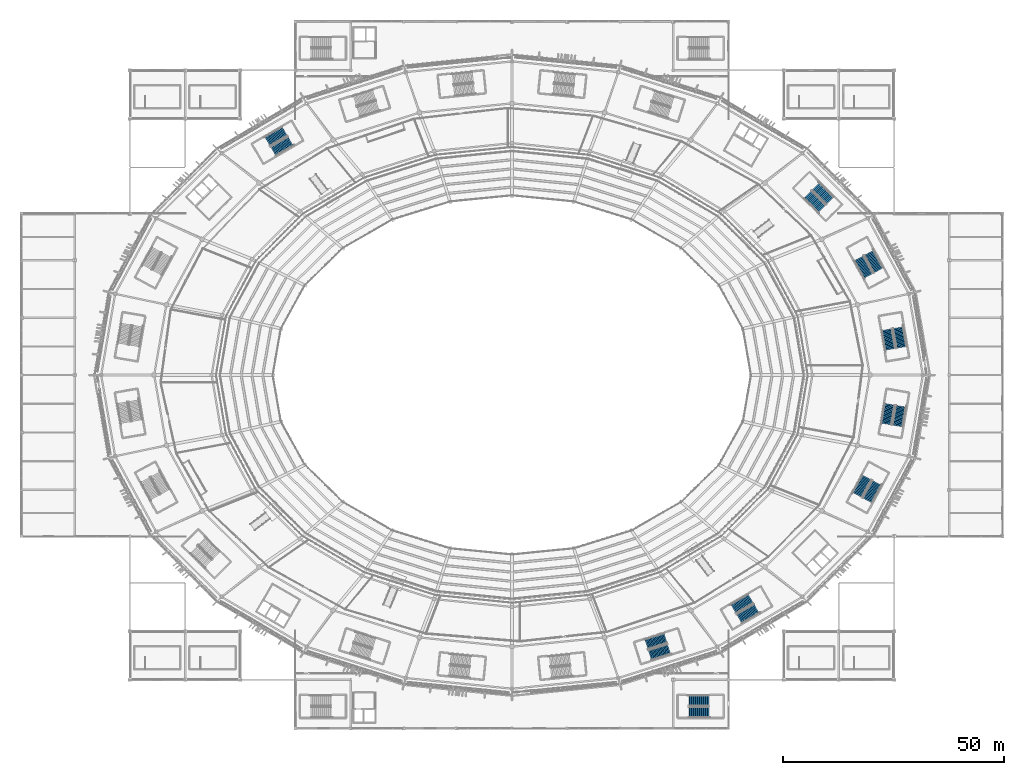
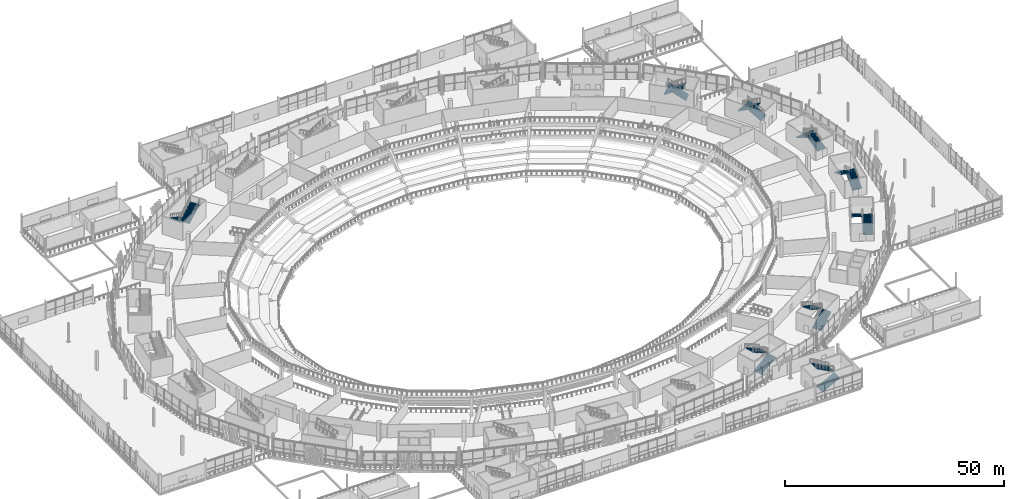
# One storey, part 135 of 178: 18 stair flights, 9 elements without a shape of their own.
"""IFC4 building model written with IfcOpenShell, lengths in metres."""

from ifc_helpers import new_model, si_unit, direction, frame, origin, place, context, subcontext, project, spatial, polyline, outline, extrude, material, type_object, element, aggregate, save


model = new_model("IFC4")

# Units and contexts
model_context = context("Model", 3, precision=1e-05, world=origin(), true_north=direction((0.0, 1.0)))
body_context = subcontext(model_context, "Body", "Model", "MODEL_VIEW")
ifc_project = project(units=[si_unit("LENGTHUNIT", "METRE"), si_unit("AREAUNIT", "SQUARE_METRE"), si_unit("VOLUMEUNIT", "CUBIC_METRE"), si_unit("PLANEANGLEUNIT", "RADIAN"), si_unit("MASSUNIT", "GRAM", prefix="KILO")], contexts=[model_context])

# Site, building, storey
site_placement = place(None, origin())
site = spatial("IfcSite", under=ifc_project, at=site_placement, CompositionType="ELEMENT")
building_placement = place(site_placement, origin())
building = spatial("IfcBuilding", under=site, at=building_placement, Name="Zlatoyarsky Gate Stadium", CompositionType="ELEMENT")
storey_placement = place(building_placement, frame((0.0, 0.0, 5.39990234375)))
storey = spatial("IfcBuildingStorey", under=building, at=storey_placement, Name="L01", CompositionType="ELEMENT", Elevation=5.39990234375)

# Stair, stair flights
ifc_material = material(Name="Concrete C40/50", Category="concrete")
stair_type = type_object("IfcStairType", Name="CONCRETE DOGLEG EXIT STAIR H5200", PredefinedType="TWO_STRAIGHT_RUN_STAIR", material=ifc_material)
stair_1_placement = place(storey_placement, origin())
stair_1 = element("IfcStair", 1, at=stair_1_placement, inside=storey, type_object=stair_type, Name="L01 Exit Stair ST-01", PredefinedType="TWO_STRAIGHT_RUN_STAIR")
stair_flight_type = type_object("IfcStairFlightType", Name="CONCRETE STAIR FLIGHT 2400 H5200", PredefinedType="STRAIGHT", material=ifc_material)
stair_flight_1_placement = place(storey_placement, frame((199.19287109375, 86.28125, 0.0), z_axis=(0.0, 0.0, 1.0), x_axis=(-0.169937754623, 0.985454798331, 0.0)))
stair_flight_1 = element("IfcStairFlight", 2, at=stair_flight_1_placement, type_object=stair_flight_type, Name="ST-DG52 flight 1", NumberOfRisers=16, NumberOfTreads=15, PredefinedType="STRAIGHT", RiserHeight=0.1625, TreadLength=0.3, context=body_context, shape_type="SweptSolid", body=[
    extrude(outline(polyline([(-0.006103515625, -0.193359375), (-0.006103515625, 0.0), (0.0, 0.0), (0.0, 0.16259765625), (0.300048828125, 0.16259765625), (0.300048828125, 0.324951171875), (0.60009765625, 0.324951171875), (0.60009765625, 0.487548828125), (0.89990234375, 0.487548828125), (0.89990234375, 0.64990234375), (1.199951171875, 0.64990234375), (1.199951171875, 0.8125), (1.5, 0.8125), (1.5, 0.97509765625), (1.800048828125, 0.97509765625), (1.800048828125, 1.137451171875), (2.10009765625, 1.137451171875), (2.10009765625, 1.300048828125), (2.39990234375, 1.300048828125), (2.39990234375, 1.46240234375), (2.699951171875, 1.46240234375), (2.699951171875, 1.625), (3.0, 1.625), (3.0, 1.78759765625), (3.300048828125, 1.78759765625), (3.300048828125, 1.949951171875), (3.60009765625, 1.949951171875), (3.60009765625, 2.112548828125), (3.89990234375, 2.112548828125), (3.89990234375, 2.27490234375), (4.199951171875, 2.27490234375), (4.199951171875, 2.4375), (4.5, 2.4375), (4.5, 2.60009765625), (4.506103515625, 2.60009765625), (4.506103515625, 2.244140625), (4.5, 2.244140625), (-0.006103515625, -0.193359375)])), frame((0.0, 1.199951171875, 0.0), z_axis=(0.0, -1.0, 0.0), x_axis=(1.0, 0.0, 0.0)), (0.0, 0.0, 1.0), 2.39990234375),
])
stair_flight_2_placement = place(storey_placement, frame((195.865966796875, 90.27392578125, 2.60009765625), z_axis=(0.0, 0.0, 1.0), x_axis=(0.169937754623, -0.985454798331, 0.0)))
stair_flight_2 = element("IfcStairFlight", 3, at=stair_flight_2_placement, type_object=stair_flight_type, Name="ST-DG52 flight 2", NumberOfRisers=16, NumberOfTreads=15, PredefinedType="STRAIGHT", RiserHeight=0.1625, TreadLength=0.3, context=body_context, shape_type="SweptSolid", body=[
    extrude(outline(polyline([(-0.006103515625, -0.193359375), (-0.006103515625, 0.0), (0.0, 0.0), (0.0, 0.16259765625), (0.300048828125, 0.16259765625), (0.300048828125, 0.324951171875), (0.60009765625, 0.324951171875), (0.60009765625, 0.487548828125), (0.89990234375, 0.487548828125), (0.89990234375, 0.64990234375), (1.199951171875, 0.64990234375), (1.199951171875, 0.8125), (1.5, 0.8125), (1.5, 0.97509765625), (1.800048828125, 0.97509765625), (1.800048828125, 1.137451171875), (2.10009765625, 1.137451171875), (2.10009765625, 1.300048828125), (2.39990234375, 1.300048828125), (2.39990234375, 1.46240234375), (2.699951171875, 1.46240234375), (2.699951171875, 1.625), (3.0, 1.625), (3.0, 1.78759765625), (3.300048828125, 1.78759765625), (3.300048828125, 1.949951171875), (3.60009765625, 1.949951171875), (3.60009765625, 2.112548828125), (3.89990234375, 2.112548828125), (3.89990234375, 2.27490234375), (4.199951171875, 2.27490234375), (4.199951171875, 2.4375), (4.5, 2.4375), (4.5, 2.60009765625), (4.506103515625, 2.60009765625), (4.506103515625, 2.244140625), (4.5, 2.244140625), (-0.006103515625, -0.193359375)])), frame((0.0, 1.199951171875, 0.0), z_axis=(0.0, -1.0, 0.0), x_axis=(1.0, 0.0, 0.0)), (0.0, 0.0, 1.0), 2.39990234375),
])
aggregate(stair_1, [stair_flight_1, stair_flight_2])

stair_2_placement = place(storey_placement, origin())
stair_2 = element("IfcStair", 4, at=stair_2_placement, inside=storey, type_object=stair_type, Name="L01 Exit Stair ST-02", PredefinedType="TWO_STRAIGHT_RUN_STAIR")
stair_flight_3_placement = place(storey_placement, frame((182.98193359375, 119.49658203125, 0.0), z_axis=(0.0, 0.0, 1.0), x_axis=(-0.708901395436, 0.70530760066, 0.0)))
stair_flight_3 = element("IfcStairFlight", 5, at=stair_flight_3_placement, type_object=stair_flight_type, Name="ST-DG52 flight 1", NumberOfRisers=16, NumberOfTreads=15, PredefinedType="STRAIGHT", RiserHeight=0.1625, TreadLength=0.3, context=body_context, shape_type="SweptSolid", body=[
    extrude(outline(polyline([(-0.006103515625, -0.193359375), (-0.006103515625, 0.0), (0.0, 0.0), (0.0, 0.16259765625), (0.300048828125, 0.16259765625), (0.300048828125, 0.324951171875), (0.60009765625, 0.324951171875), (0.60009765625, 0.487548828125), (0.89990234375, 0.487548828125), (0.89990234375, 0.64990234375), (1.199951171875, 0.64990234375), (1.199951171875, 0.8125), (1.5, 0.8125), (1.5, 0.97509765625), (1.800048828125, 0.97509765625), (1.800048828125, 1.137451171875), (2.10009765625, 1.137451171875), (2.10009765625, 1.300048828125), (2.39990234375, 1.300048828125), (2.39990234375, 1.46240234375), (2.699951171875, 1.46240234375), (2.699951171875, 1.625), (3.0, 1.625), (3.0, 1.78759765625), (3.300048828125, 1.78759765625), (3.300048828125, 1.949951171875), (3.60009765625, 1.949951171875), (3.60009765625, 2.112548828125), (3.89990234375, 2.112548828125), (3.89990234375, 2.27490234375), (4.199951171875, 2.27490234375), (4.199951171875, 2.4375), (4.5, 2.4375), (4.5, 2.60009765625), (4.506103515625, 2.60009765625), (4.506103515625, 2.244140625), (4.5, 2.244140625), (-0.006103515625, -0.193359375)])), frame((0.0, 1.199951171875, 0.0), z_axis=(0.0, -1.0, 0.0), x_axis=(1.0, 0.0, 0.0)), (0.0, 0.0, 1.0), 2.39990234375),
])
stair_flight_4_placement = place(storey_placement, frame((177.9580078125, 120.827392578125, 2.60009765625), z_axis=(0.0, 0.0, 1.0), x_axis=(0.708901395436, -0.70530760066, 0.0)))
stair_flight_4 = element("IfcStairFlight", 6, at=stair_flight_4_placement, type_object=stair_flight_type, Name="ST-DG52 flight 2", NumberOfRisers=16, NumberOfTreads=15, PredefinedType="STRAIGHT", RiserHeight=0.1625, TreadLength=0.3, context=body_context, shape_type="SweptSolid", body=[
    extrude(outline(polyline([(-0.006103515625, -0.193359375), (-0.006103515625, 0.0), (0.0, 0.0), (0.0, 0.16259765625), (0.300048828125, 0.16259765625), (0.300048828125, 0.324951171875), (0.60009765625, 0.324951171875), (0.60009765625, 0.487548828125), (0.89990234375, 0.487548828125), (0.89990234375, 0.64990234375), (1.199951171875, 0.64990234375), (1.199951171875, 0.8125), (1.5, 0.8125), (1.5, 0.97509765625), (1.800048828125, 0.97509765625), (1.800048828125, 1.137451171875), (2.10009765625, 1.137451171875), (2.10009765625, 1.300048828125), (2.39990234375, 1.300048828125), (2.39990234375, 1.46240234375), (2.699951171875, 1.46240234375), (2.699951171875, 1.625), (3.0, 1.625), (3.0, 1.78759765625), (3.300048828125, 1.78759765625), (3.300048828125, 1.949951171875), (3.60009765625, 1.949951171875), (3.60009765625, 2.112548828125), (3.89990234375, 2.112548828125), (3.89990234375, 2.27490234375), (4.199951171875, 2.27490234375), (4.199951171875, 2.4375), (4.5, 2.4375), (4.5, 2.60009765625), (4.506103515625, 2.60009765625), (4.506103515625, 2.244140625), (4.5, 2.244140625), (-0.006103515625, -0.193359375)])), frame((0.0, 1.199951171875, 0.0), z_axis=(0.0, -1.0, 0.0), x_axis=(1.0, 0.0, 0.0)), (0.0, 0.0, 1.0), 2.39990234375),
])
aggregate(stair_2, [stair_flight_3, stair_flight_4])

stair_3_placement = place(storey_placement, origin())
stair_3 = element("IfcStair", 7, at=stair_3_placement, inside=storey, type_object=stair_type, Name="L01 Exit Stair ST-05", PredefinedType="TWO_STRAIGHT_RUN_STAIR")
stair_flight_5_placement = place(storey_placement, frame((59.540771484375, 135.1689453125, 0.0), z_axis=(0.0, 0.0, 1.0), x_axis=(-0.86284821159, -0.505463118096, 0.0)))
stair_flight_5 = element("IfcStairFlight", 8, at=stair_flight_5_placement, type_object=stair_flight_type, Name="ST-DG52 flight 1", NumberOfRisers=16, NumberOfTreads=15, PredefinedType="STRAIGHT", RiserHeight=0.1625, TreadLength=0.3, context=body_context, shape_type="SweptSolid", body=[
    extrude(outline(polyline([(-0.006103515625, -0.193359375), (-0.006103515625, 0.0), (0.0, 0.0), (0.0, 0.16259765625), (0.300048828125, 0.16259765625), (0.300048828125, 0.324951171875), (0.60009765625, 0.324951171875), (0.60009765625, 0.487548828125), (0.89990234375, 0.487548828125), (0.89990234375, 0.64990234375), (1.199951171875, 0.64990234375), (1.199951171875, 0.8125), (1.5, 0.8125), (1.5, 0.97509765625), (1.800048828125, 0.97509765625), (1.800048828125, 1.137451171875), (2.10009765625, 1.137451171875), (2.10009765625, 1.300048828125), (2.39990234375, 1.300048828125), (2.39990234375, 1.46240234375), (2.699951171875, 1.46240234375), (2.699951171875, 1.625), (3.0, 1.625), (3.0, 1.78759765625), (3.300048828125, 1.78759765625), (3.300048828125, 1.949951171875), (3.60009765625, 1.949951171875), (3.60009765625, 2.112548828125), (3.89990234375, 2.112548828125), (3.89990234375, 2.27490234375), (4.199951171875, 2.27490234375), (4.199951171875, 2.4375), (4.5, 2.4375), (4.5, 2.60009765625), (4.506103515625, 2.60009765625), (4.506103515625, 2.244140625), (4.5, 2.244140625), (-0.006103515625, -0.193359375)])), frame((0.0, 1.199951171875, 0.0), z_axis=(0.0, -1.0, 0.0), x_axis=(1.0, 0.0, 0.0)), (0.0, 0.0, 1.0), 2.39990234375),
])
stair_flight_6_placement = place(storey_placement, frame((56.97216796875, 130.651123046875, 2.60009765625), z_axis=(0.0, 0.0, 1.0), x_axis=(0.86284821159, 0.505463118096, 0.0)))
stair_flight_6 = element("IfcStairFlight", 9, at=stair_flight_6_placement, type_object=stair_flight_type, Name="ST-DG52 flight 2", NumberOfRisers=16, NumberOfTreads=15, PredefinedType="STRAIGHT", RiserHeight=0.1625, TreadLength=0.3, context=body_context, shape_type="SweptSolid", body=[
    extrude(outline(polyline([(-0.006103515625, -0.193359375), (-0.006103515625, 0.0), (0.0, 0.0), (0.0, 0.16259765625), (0.300048828125, 0.16259765625), (0.300048828125, 0.324951171875), (0.60009765625, 0.324951171875), (0.60009765625, 0.487548828125), (0.89990234375, 0.487548828125), (0.89990234375, 0.64990234375), (1.199951171875, 0.64990234375), (1.199951171875, 0.8125), (1.5, 0.8125), (1.5, 0.97509765625), (1.800048828125, 0.97509765625), (1.800048828125, 1.137451171875), (2.10009765625, 1.137451171875), (2.10009765625, 1.300048828125), (2.39990234375, 1.300048828125), (2.39990234375, 1.46240234375), (2.699951171875, 1.46240234375), (2.699951171875, 1.625), (3.0, 1.625), (3.0, 1.78759765625), (3.300048828125, 1.78759765625), (3.300048828125, 1.949951171875), (3.60009765625, 1.949951171875), (3.60009765625, 2.112548828125), (3.89990234375, 2.112548828125), (3.89990234375, 2.27490234375), (4.199951171875, 2.27490234375), (4.199951171875, 2.4375), (4.5, 2.4375), (4.5, 2.60009765625), (4.506103515625, 2.60009765625), (4.506103515625, 2.244140625), (4.5, 2.244140625), (-0.006103515625, -0.193359375)])), frame((0.0, 1.199951171875, 0.0), z_axis=(0.0, -1.0, 0.0), x_axis=(1.0, 0.0, 0.0)), (0.0, 0.0, 1.0), 2.39990234375),
])
aggregate(stair_3, [stair_flight_5, stair_flight_6])

stair_4_placement = place(storey_placement, origin())
stair_4 = element("IfcStair", 10, at=stair_4_placement, inside=storey, type_object=stair_type, Name="L01 Exit Stair ST-11", PredefinedType="TWO_STRAIGHT_RUN_STAIR")
stair_flight_7_placement = place(storey_placement, frame((162.459228515625, 24.8310546875, 0.0), z_axis=(0.0, 0.0, 1.0), x_axis=(0.86284821159, 0.505463118096, 0.0)))
stair_flight_7 = element("IfcStairFlight", 11, at=stair_flight_7_placement, type_object=stair_flight_type, Name="ST-DG52 flight 1", NumberOfRisers=16, NumberOfTreads=15, PredefinedType="STRAIGHT", RiserHeight=0.1625, TreadLength=0.3, context=body_context, shape_type="SweptSolid", body=[
    extrude(outline(polyline([(-0.006103515625, -0.193359375), (-0.006103515625, 0.0), (0.0, 0.0), (0.0, 0.16259765625), (0.300048828125, 0.16259765625), (0.300048828125, 0.324951171875), (0.60009765625, 0.324951171875), (0.60009765625, 0.487548828125), (0.89990234375, 0.487548828125), (0.89990234375, 0.64990234375), (1.199951171875, 0.64990234375), (1.199951171875, 0.8125), (1.5, 0.8125), (1.5, 0.97509765625), (1.800048828125, 0.97509765625), (1.800048828125, 1.137451171875), (2.10009765625, 1.137451171875), (2.10009765625, 1.300048828125), (2.39990234375, 1.300048828125), (2.39990234375, 1.46240234375), (2.699951171875, 1.46240234375), (2.699951171875, 1.625), (3.0, 1.625), (3.0, 1.78759765625), (3.300048828125, 1.78759765625), (3.300048828125, 1.949951171875), (3.60009765625, 1.949951171875), (3.60009765625, 2.112548828125), (3.89990234375, 2.112548828125), (3.89990234375, 2.27490234375), (4.199951171875, 2.27490234375), (4.199951171875, 2.4375), (4.5, 2.4375), (4.5, 2.60009765625), (4.506103515625, 2.60009765625), (4.506103515625, 2.244140625), (4.5, 2.244140625), (-0.006103515625, -0.193359375)])), frame((0.0, 1.199951171875, 0.0), z_axis=(0.0, -1.0, 0.0), x_axis=(1.0, 0.0, 0.0)), (0.0, 0.0, 1.0), 2.39990234375),
])
stair_flight_8_placement = place(storey_placement, frame((165.02783203125, 29.348876953125, 2.60009765625), z_axis=(0.0, 0.0, 1.0), x_axis=(-0.86284821159, -0.505463118096, 0.0)))
stair_flight_8 = element("IfcStairFlight", 12, at=stair_flight_8_placement, type_object=stair_flight_type, Name="ST-DG52 flight 2", NumberOfRisers=16, NumberOfTreads=15, PredefinedType="STRAIGHT", RiserHeight=0.1625, TreadLength=0.3, context=body_context, shape_type="SweptSolid", body=[
    extrude(outline(polyline([(-0.006103515625, -0.193359375), (-0.006103515625, 0.0), (0.0, 0.0), (0.0, 0.16259765625), (0.300048828125, 0.16259765625), (0.300048828125, 0.324951171875), (0.60009765625, 0.324951171875), (0.60009765625, 0.487548828125), (0.89990234375, 0.487548828125), (0.89990234375, 0.64990234375), (1.199951171875, 0.64990234375), (1.199951171875, 0.8125), (1.5, 0.8125), (1.5, 0.97509765625), (1.800048828125, 0.97509765625), (1.800048828125, 1.137451171875), (2.10009765625, 1.137451171875), (2.10009765625, 1.300048828125), (2.39990234375, 1.300048828125), (2.39990234375, 1.46240234375), (2.699951171875, 1.46240234375), (2.699951171875, 1.625), (3.0, 1.625), (3.0, 1.78759765625), (3.300048828125, 1.78759765625), (3.300048828125, 1.949951171875), (3.60009765625, 1.949951171875), (3.60009765625, 2.112548828125), (3.89990234375, 2.112548828125), (3.89990234375, 2.27490234375), (4.199951171875, 2.27490234375), (4.199951171875, 2.4375), (4.5, 2.4375), (4.5, 2.60009765625), (4.506103515625, 2.60009765625), (4.506103515625, 2.244140625), (4.5, 2.244140625), (-0.006103515625, -0.193359375)])), frame((0.0, 1.199951171875, 0.0), z_axis=(0.0, -1.0, 0.0), x_axis=(1.0, 0.0, 0.0)), (0.0, 0.0, 1.0), 2.39990234375),
])
aggregate(stair_4, [stair_flight_7, stair_flight_8])

stair_5_placement = place(storey_placement, origin())
stair_5 = element("IfcStair", 13, at=stair_5_placement, inside=storey, type_object=stair_type, Name="L01 Exit Stair ST-12", PredefinedType="TWO_STRAIGHT_RUN_STAIR")
stair_flight_9_placement = place(storey_placement, frame((191.4482421875, 51.62646484375, 0.0), z_axis=(0.0, 0.0, 1.0), x_axis=(0.476890318595, 0.878962811518, 0.0)))
stair_flight_9 = element("IfcStairFlight", 14, at=stair_flight_9_placement, type_object=stair_flight_type, Name="ST-DG52 flight 1", NumberOfRisers=16, NumberOfTreads=15, PredefinedType="STRAIGHT", RiserHeight=0.1625, TreadLength=0.3, context=body_context, shape_type="SweptSolid", body=[
    extrude(outline(polyline([(-0.006103515625, -0.193359375), (-0.006103515625, 0.0), (0.0, 0.0), (0.0, 0.16259765625), (0.300048828125, 0.16259765625), (0.300048828125, 0.324951171875), (0.60009765625, 0.324951171875), (0.60009765625, 0.487548828125), (0.89990234375, 0.487548828125), (0.89990234375, 0.64990234375), (1.199951171875, 0.64990234375), (1.199951171875, 0.8125), (1.5, 0.8125), (1.5, 0.97509765625), (1.800048828125, 0.97509765625), (1.800048828125, 1.137451171875), (2.10009765625, 1.137451171875), (2.10009765625, 1.300048828125), (2.39990234375, 1.300048828125), (2.39990234375, 1.46240234375), (2.699951171875, 1.46240234375), (2.699951171875, 1.625), (3.0, 1.625), (3.0, 1.78759765625), (3.300048828125, 1.78759765625), (3.300048828125, 1.949951171875), (3.60009765625, 1.949951171875), (3.60009765625, 2.112548828125), (3.89990234375, 2.112548828125), (3.89990234375, 2.27490234375), (4.199951171875, 2.27490234375), (4.199951171875, 2.4375), (4.5, 2.4375), (4.5, 2.60009765625), (4.506103515625, 2.60009765625), (4.506103515625, 2.244140625), (4.5, 2.244140625), (-0.006103515625, -0.193359375)])), frame((0.0, 1.199951171875, 0.0), z_axis=(0.0, -1.0, 0.0), x_axis=(1.0, 0.0, 0.0)), (0.0, 0.0, 1.0), 2.39990234375),
])
stair_flight_10_placement = place(storey_placement, frame((191.308837890625, 56.82177734375, 2.60009765625), z_axis=(0.0, 0.0, 1.0), x_axis=(-0.476890318595, -0.878962811518, 0.0)))
stair_flight_10 = element("IfcStairFlight", 15, at=stair_flight_10_placement, type_object=stair_flight_type, Name="ST-DG52 flight 2", NumberOfRisers=16, NumberOfTreads=15, PredefinedType="STRAIGHT", RiserHeight=0.1625, TreadLength=0.3, context=body_context, shape_type="SweptSolid", body=[
    extrude(outline(polyline([(-0.006103515625, -0.193359375), (-0.006103515625, 0.0), (0.0, 0.0), (0.0, 0.16259765625), (0.300048828125, 0.16259765625), (0.300048828125, 0.324951171875), (0.60009765625, 0.324951171875), (0.60009765625, 0.487548828125), (0.89990234375, 0.487548828125), (0.89990234375, 0.64990234375), (1.199951171875, 0.64990234375), (1.199951171875, 0.8125), (1.5, 0.8125), (1.5, 0.97509765625), (1.800048828125, 0.97509765625), (1.800048828125, 1.137451171875), (2.10009765625, 1.137451171875), (2.10009765625, 1.300048828125), (2.39990234375, 1.300048828125), (2.39990234375, 1.46240234375), (2.699951171875, 1.46240234375), (2.699951171875, 1.625), (3.0, 1.625), (3.0, 1.78759765625), (3.300048828125, 1.78759765625), (3.300048828125, 1.949951171875), (3.60009765625, 1.949951171875), (3.60009765625, 2.112548828125), (3.89990234375, 2.112548828125), (3.89990234375, 2.27490234375), (4.199951171875, 2.27490234375), (4.199951171875, 2.4375), (4.5, 2.4375), (4.5, 2.60009765625), (4.506103515625, 2.60009765625), (4.506103515625, 2.244140625), (4.5, 2.244140625), (-0.006103515625, -0.193359375)])), frame((0.0, 1.199951171875, 0.0), z_axis=(0.0, -1.0, 0.0), x_axis=(1.0, 0.0, 0.0)), (0.0, 0.0, 1.0), 2.39990234375),
])
aggregate(stair_5, [stair_flight_9, stair_flight_10])

stair_6_placement = place(storey_placement, origin())
stair_6 = element("IfcStair", 16, at=stair_6_placement, inside=storey, type_object=stair_type, Name="L01 Exit Stair ST-13", PredefinedType="TWO_STRAIGHT_RUN_STAIR")
stair_flight_11_placement = place(storey_placement, frame((193.9755859375, 103.715087890625, 0.0), z_axis=(0.0, 0.0, 1.0), x_axis=(-0.476890318595, 0.878962811518, 0.0)))
stair_flight_11 = element("IfcStairFlight", 17, at=stair_flight_11_placement, type_object=stair_flight_type, Name="ST-DG52 flight 1", NumberOfRisers=16, NumberOfTreads=15, PredefinedType="STRAIGHT", RiserHeight=0.1625, TreadLength=0.3, context=body_context, shape_type="SweptSolid", body=[
    extrude(outline(polyline([(-0.006103515625, -0.193359375), (-0.006103515625, 0.0), (0.0, 0.0), (0.0, 0.16259765625), (0.300048828125, 0.16259765625), (0.300048828125, 0.324951171875), (0.60009765625, 0.324951171875), (0.60009765625, 0.487548828125), (0.89990234375, 0.487548828125), (0.89990234375, 0.64990234375), (1.199951171875, 0.64990234375), (1.199951171875, 0.8125), (1.5, 0.8125), (1.5, 0.97509765625), (1.800048828125, 0.97509765625), (1.800048828125, 1.137451171875), (2.10009765625, 1.137451171875), (2.10009765625, 1.300048828125), (2.39990234375, 1.300048828125), (2.39990234375, 1.46240234375), (2.699951171875, 1.46240234375), (2.699951171875, 1.625), (3.0, 1.625), (3.0, 1.78759765625), (3.300048828125, 1.78759765625), (3.300048828125, 1.949951171875), (3.60009765625, 1.949951171875), (3.60009765625, 2.112548828125), (3.89990234375, 2.112548828125), (3.89990234375, 2.27490234375), (4.199951171875, 2.27490234375), (4.199951171875, 2.4375), (4.5, 2.4375), (4.5, 2.60009765625), (4.506103515625, 2.60009765625), (4.506103515625, 2.244140625), (4.5, 2.244140625), (-0.006103515625, -0.193359375)])), frame((0.0, 1.199951171875, 0.0), z_axis=(0.0, -1.0, 0.0), x_axis=(1.0, 0.0, 0.0)), (0.0, 0.0, 1.0), 2.39990234375),
])
stair_flight_12_placement = place(storey_placement, frame((189.54443359375, 106.430419921875, 2.60009765625), z_axis=(0.0, 0.0, 1.0), x_axis=(0.476890318595, -0.878962811518, 0.0)))
stair_flight_12 = element("IfcStairFlight", 18, at=stair_flight_12_placement, type_object=stair_flight_type, Name="ST-DG52 flight 2", NumberOfRisers=16, NumberOfTreads=15, PredefinedType="STRAIGHT", RiserHeight=0.1625, TreadLength=0.3, context=body_context, shape_type="SweptSolid", body=[
    extrude(outline(polyline([(-0.006103515625, -0.193359375), (-0.006103515625, 0.0), (0.0, 0.0), (0.0, 0.16259765625), (0.300048828125, 0.16259765625), (0.300048828125, 0.324951171875), (0.60009765625, 0.324951171875), (0.60009765625, 0.487548828125), (0.89990234375, 0.487548828125), (0.89990234375, 0.64990234375), (1.199951171875, 0.64990234375), (1.199951171875, 0.8125), (1.5, 0.8125), (1.5, 0.97509765625), (1.800048828125, 0.97509765625), (1.800048828125, 1.137451171875), (2.10009765625, 1.137451171875), (2.10009765625, 1.300048828125), (2.39990234375, 1.300048828125), (2.39990234375, 1.46240234375), (2.699951171875, 1.46240234375), (2.699951171875, 1.625), (3.0, 1.625), (3.0, 1.78759765625), (3.300048828125, 1.78759765625), (3.300048828125, 1.949951171875), (3.60009765625, 1.949951171875), (3.60009765625, 2.112548828125), (3.89990234375, 2.112548828125), (3.89990234375, 2.27490234375), (4.199951171875, 2.27490234375), (4.199951171875, 2.4375), (4.5, 2.4375), (4.5, 2.60009765625), (4.506103515625, 2.60009765625), (4.506103515625, 2.244140625), (4.5, 2.244140625), (-0.006103515625, -0.193359375)])), frame((0.0, 1.199951171875, 0.0), z_axis=(0.0, -1.0, 0.0), x_axis=(1.0, 0.0, 0.0)), (0.0, 0.0, 1.0), 2.39990234375),
])
aggregate(stair_6, [stair_flight_11, stair_flight_12])

stair_7_placement = place(storey_placement, origin())
stair_7 = element("IfcStair", 19, at=stair_7_placement, inside=storey, type_object=stair_type, Name="L01 Exit Stair ST-16", PredefinedType="TWO_STRAIGHT_RUN_STAIR")
stair_flight_13_placement = place(storey_placement, frame((142.23828125, 16.58203125, 0.0), z_axis=(0.0, 0.0, 1.0), x_axis=(0.953463118711, 0.301509670257, 0.0)))
stair_flight_13 = element("IfcStairFlight", 20, at=stair_flight_13_placement, type_object=stair_flight_type, Name="ST-DG52 flight 1", NumberOfRisers=16, NumberOfTreads=15, PredefinedType="STRAIGHT", RiserHeight=0.1625, TreadLength=0.3, context=body_context, shape_type="SweptSolid", body=[
    extrude(outline(polyline([(-0.006103515625, -0.193359375), (-0.006103515625, 0.0), (0.0, 0.0), (0.0, 0.16259765625), (0.300048828125, 0.16259765625), (0.300048828125, 0.324951171875), (0.60009765625, 0.324951171875), (0.60009765625, 0.487548828125), (0.89990234375, 0.487548828125), (0.89990234375, 0.64990234375), (1.199951171875, 0.64990234375), (1.199951171875, 0.8125), (1.5, 0.8125), (1.5, 0.97509765625), (1.800048828125, 0.97509765625), (1.800048828125, 1.137451171875), (2.10009765625, 1.137451171875), (2.10009765625, 1.300048828125), (2.39990234375, 1.300048828125), (2.39990234375, 1.46240234375), (2.699951171875, 1.46240234375), (2.699951171875, 1.625), (3.0, 1.625), (3.0, 1.78759765625), (3.300048828125, 1.78759765625), (3.300048828125, 1.949951171875), (3.60009765625, 1.949951171875), (3.60009765625, 2.112548828125), (3.89990234375, 2.112548828125), (3.89990234375, 2.27490234375), (4.199951171875, 2.27490234375), (4.199951171875, 2.4375), (4.5, 2.4375), (4.5, 2.60009765625), (4.506103515625, 2.60009765625), (4.506103515625, 2.244140625), (4.5, 2.244140625), (-0.006103515625, -0.193359375)])), frame((0.0, 1.199951171875, 0.0), z_axis=(0.0, -1.0, 0.0), x_axis=(1.0, 0.0, 0.0)), (0.0, 0.0, 1.0), 2.39990234375),
])
stair_flight_14_placement = place(storey_placement, frame((145.744873046875, 20.417724609375, 2.60009765625), z_axis=(0.0, 0.0, 1.0), x_axis=(-0.953463118711, -0.301509670257, 0.0)))
stair_flight_14 = element("IfcStairFlight", 21, at=stair_flight_14_placement, type_object=stair_flight_type, Name="ST-DG52 flight 2", NumberOfRisers=16, NumberOfTreads=15, PredefinedType="STRAIGHT", RiserHeight=0.1625, TreadLength=0.3, context=body_context, shape_type="SweptSolid", body=[
    extrude(outline(polyline([(-0.006103515625, -0.193359375), (-0.006103515625, 0.0), (0.0, 0.0), (0.0, 0.16259765625), (0.300048828125, 0.16259765625), (0.300048828125, 0.324951171875), (0.60009765625, 0.324951171875), (0.60009765625, 0.487548828125), (0.89990234375, 0.487548828125), (0.89990234375, 0.64990234375), (1.199951171875, 0.64990234375), (1.199951171875, 0.8125), (1.5, 0.8125), (1.5, 0.97509765625), (1.800048828125, 0.97509765625), (1.800048828125, 1.137451171875), (2.10009765625, 1.137451171875), (2.10009765625, 1.300048828125), (2.39990234375, 1.300048828125), (2.39990234375, 1.46240234375), (2.699951171875, 1.46240234375), (2.699951171875, 1.625), (3.0, 1.625), (3.0, 1.78759765625), (3.300048828125, 1.78759765625), (3.300048828125, 1.949951171875), (3.60009765625, 1.949951171875), (3.60009765625, 2.112548828125), (3.89990234375, 2.112548828125), (3.89990234375, 2.27490234375), (4.199951171875, 2.27490234375), (4.199951171875, 2.4375), (4.5, 2.4375), (4.5, 2.60009765625), (4.506103515625, 2.60009765625), (4.506103515625, 2.244140625), (4.5, 2.244140625), (-0.006103515625, -0.193359375)])), frame((0.0, 1.199951171875, 0.0), z_axis=(0.0, -1.0, 0.0), x_axis=(1.0, 0.0, 0.0)), (0.0, 0.0, 1.0), 2.39990234375),
])
aggregate(stair_7, [stair_flight_13, stair_flight_14])

stair_8_placement = place(storey_placement, origin())
stair_8 = element("IfcStair", 22, at=stair_8_placement, inside=storey, type_object=stair_type, Name="L01 Exit Stair ST-20", PredefinedType="TWO_STRAIGHT_RUN_STAIR")
stair_flight_15_placement = place(storey_placement, frame((198.292236328125, 68.495849609375, 0.0), z_axis=(0.0, 0.0, 1.0), x_axis=(0.169937754623, 0.985454798331, 0.0)))
stair_flight_15 = element("IfcStairFlight", 23, at=stair_flight_15_placement, type_object=stair_flight_type, Name="ST-DG52 flight 1", NumberOfRisers=16, NumberOfTreads=15, PredefinedType="STRAIGHT", RiserHeight=0.1625, TreadLength=0.3, context=body_context, shape_type="SweptSolid", body=[
    extrude(outline(polyline([(-0.006103515625, -0.193359375), (-0.006103515625, 0.0), (0.0, 0.0), (0.0, 0.16259765625), (0.300048828125, 0.16259765625), (0.300048828125, 0.324951171875), (0.60009765625, 0.324951171875), (0.60009765625, 0.487548828125), (0.89990234375, 0.487548828125), (0.89990234375, 0.64990234375), (1.199951171875, 0.64990234375), (1.199951171875, 0.8125), (1.5, 0.8125), (1.5, 0.97509765625), (1.800048828125, 0.97509765625), (1.800048828125, 1.137451171875), (2.10009765625, 1.137451171875), (2.10009765625, 1.300048828125), (2.39990234375, 1.300048828125), (2.39990234375, 1.46240234375), (2.699951171875, 1.46240234375), (2.699951171875, 1.625), (3.0, 1.625), (3.0, 1.78759765625), (3.300048828125, 1.78759765625), (3.300048828125, 1.949951171875), (3.60009765625, 1.949951171875), (3.60009765625, 2.112548828125), (3.89990234375, 2.112548828125), (3.89990234375, 2.27490234375), (4.199951171875, 2.27490234375), (4.199951171875, 2.4375), (4.5, 2.4375), (4.5, 2.60009765625), (4.506103515625, 2.60009765625), (4.506103515625, 2.244140625), (4.5, 2.244140625), (-0.006103515625, -0.193359375)])), frame((0.0, 1.199951171875, 0.0), z_axis=(0.0, -1.0, 0.0), x_axis=(1.0, 0.0, 0.0)), (0.0, 0.0, 1.0), 2.39990234375),
])
stair_flight_16_placement = place(storey_placement, frame((196.49462890625, 73.372314453125, 2.60009765625), z_axis=(0.0, 0.0, 1.0), x_axis=(-0.169937754623, -0.985454798331, 0.0)))
stair_flight_16 = element("IfcStairFlight", 24, at=stair_flight_16_placement, type_object=stair_flight_type, Name="ST-DG52 flight 2", NumberOfRisers=16, NumberOfTreads=15, PredefinedType="STRAIGHT", RiserHeight=0.1625, TreadLength=0.3, context=body_context, shape_type="SweptSolid", body=[
    extrude(outline(polyline([(-0.006103515625, -0.193359375), (-0.006103515625, 0.0), (0.0, 0.0), (0.0, 0.16259765625), (0.300048828125, 0.16259765625), (0.300048828125, 0.324951171875), (0.60009765625, 0.324951171875), (0.60009765625, 0.487548828125), (0.89990234375, 0.487548828125), (0.89990234375, 0.64990234375), (1.199951171875, 0.64990234375), (1.199951171875, 0.8125), (1.5, 0.8125), (1.5, 0.97509765625), (1.800048828125, 0.97509765625), (1.800048828125, 1.137451171875), (2.10009765625, 1.137451171875), (2.10009765625, 1.300048828125), (2.39990234375, 1.300048828125), (2.39990234375, 1.46240234375), (2.699951171875, 1.46240234375), (2.699951171875, 1.625), (3.0, 1.625), (3.0, 1.78759765625), (3.300048828125, 1.78759765625), (3.300048828125, 1.949951171875), (3.60009765625, 1.949951171875), (3.60009765625, 2.112548828125), (3.89990234375, 2.112548828125), (3.89990234375, 2.27490234375), (4.199951171875, 2.27490234375), (4.199951171875, 2.4375), (4.5, 2.4375), (4.5, 2.60009765625), (4.506103515625, 2.60009765625), (4.506103515625, 2.244140625), (4.5, 2.244140625), (-0.006103515625, -0.193359375)])), frame((0.0, 1.199951171875, 0.0), z_axis=(0.0, -1.0, 0.0), x_axis=(1.0, 0.0, 0.0)), (0.0, 0.0, 1.0), 2.39990234375),
])
aggregate(stair_8, [stair_flight_15, stair_flight_16])

stair_9_placement = place(storey_placement, origin())
stair_9 = element("IfcStair", 25, at=stair_9_placement, inside=storey, type_object=stair_type, Name="L01 Exit Stair ST-30", PredefinedType="TWO_STRAIGHT_RUN_STAIR")
stair_flight_17_placement = place(storey_placement, frame((151.050048828125, 3.699951171875, 0.0), z_axis=(0.0, 0.0, 1.0), x_axis=(1.0, 0.0, 0.0)))
stair_flight_17 = element("IfcStairFlight", 26, at=stair_flight_17_placement, type_object=stair_flight_type, Name="ST-DG52 flight 1", NumberOfRisers=16, NumberOfTreads=15, PredefinedType="STRAIGHT", RiserHeight=0.1625, TreadLength=0.3, context=body_context, shape_type="SweptSolid", body=[
    extrude(outline(polyline([(-0.006103515625, -0.193359375), (-0.006103515625, 0.0), (0.0, 0.0), (0.0, 0.16259765625), (0.300048828125, 0.16259765625), (0.300048828125, 0.324951171875), (0.60009765625, 0.324951171875), (0.60009765625, 0.487548828125), (0.89990234375, 0.487548828125), (0.89990234375, 0.64990234375), (1.199951171875, 0.64990234375), (1.199951171875, 0.8125), (1.5, 0.8125), (1.5, 0.97509765625), (1.800048828125, 0.97509765625), (1.800048828125, 1.137451171875), (2.10009765625, 1.137451171875), (2.10009765625, 1.300048828125), (2.39990234375, 1.300048828125), (2.39990234375, 1.46240234375), (2.699951171875, 1.46240234375), (2.699951171875, 1.625), (3.0, 1.625), (3.0, 1.78759765625), (3.300048828125, 1.78759765625), (3.300048828125, 1.949951171875), (3.60009765625, 1.949951171875), (3.60009765625, 2.112548828125), (3.89990234375, 2.112548828125), (3.89990234375, 2.27490234375), (4.199951171875, 2.27490234375), (4.199951171875, 2.4375), (4.5, 2.4375), (4.5, 2.60009765625), (4.506103515625, 2.60009765625), (4.506103515625, 2.244140625), (4.5, 2.244140625), (-0.006103515625, -0.193359375)])), frame((0.0, 1.199951171875, 0.0), z_axis=(0.0, -1.0, 0.0), x_axis=(1.0, 0.0, 0.0)), (0.0, 0.0, 1.0), 2.39990234375),
])
stair_flight_18_placement = place(storey_placement, frame((155.550048828125, 6.300048828125, 2.60009765625), z_axis=(0.0, 0.0, 1.0), x_axis=(-1.0, 0.0, 0.0)))
stair_flight_18 = element("IfcStairFlight", 27, at=stair_flight_18_placement, type_object=stair_flight_type, Name="ST-DG52 flight 2", NumberOfRisers=16, NumberOfTreads=15, PredefinedType="STRAIGHT", RiserHeight=0.1625, TreadLength=0.3, context=body_context, shape_type="SweptSolid", body=[
    extrude(outline(polyline([(-0.006103515625, -0.193359375), (-0.006103515625, 0.0), (0.0, 0.0), (0.0, 0.16259765625), (0.300048828125, 0.16259765625), (0.300048828125, 0.324951171875), (0.60009765625, 0.324951171875), (0.60009765625, 0.487548828125), (0.89990234375, 0.487548828125), (0.89990234375, 0.64990234375), (1.199951171875, 0.64990234375), (1.199951171875, 0.8125), (1.5, 0.8125), (1.5, 0.97509765625), (1.800048828125, 0.97509765625), (1.800048828125, 1.137451171875), (2.10009765625, 1.137451171875), (2.10009765625, 1.300048828125), (2.39990234375, 1.300048828125), (2.39990234375, 1.46240234375), (2.699951171875, 1.46240234375), (2.699951171875, 1.625), (3.0, 1.625), (3.0, 1.78759765625), (3.300048828125, 1.78759765625), (3.300048828125, 1.949951171875), (3.60009765625, 1.949951171875), (3.60009765625, 2.112548828125), (3.89990234375, 2.112548828125), (3.89990234375, 2.27490234375), (4.199951171875, 2.27490234375), (4.199951171875, 2.4375), (4.5, 2.4375), (4.5, 2.60009765625), (4.506103515625, 2.60009765625), (4.506103515625, 2.244140625), (4.5, 2.244140625), (-0.006103515625, -0.193359375)])), frame((0.0, 1.199951171875, 0.0), z_axis=(0.0, -1.0, 0.0), x_axis=(1.0, 0.0, 0.0)), (0.0, 0.0, 1.0), 2.39990234375),
])
aggregate(stair_9, [stair_flight_17, stair_flight_18])

save(model, "model.ifc")
